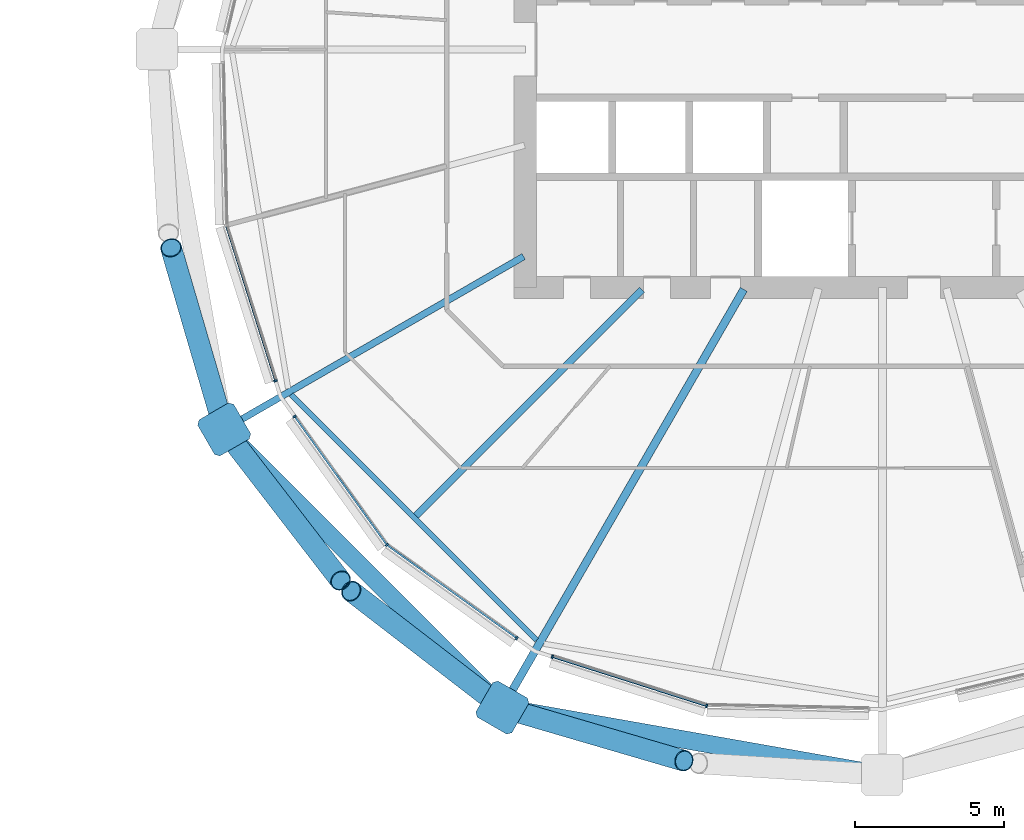
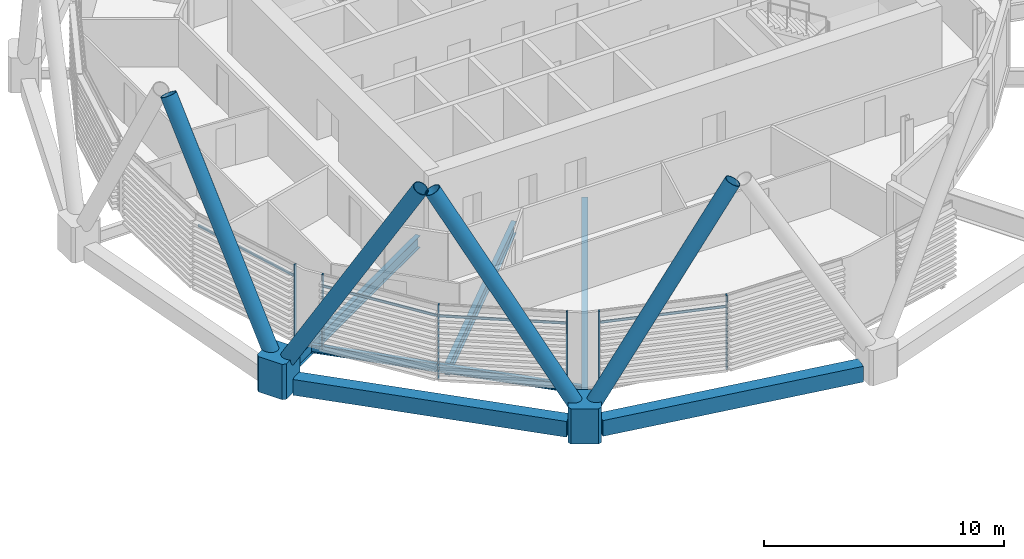
# One storey, part 13 of 38: 16 members, 6 beams, 1 element without a shape of its own.
"""IFC4 building model written with IfcOpenShell, lengths in metres."""

from ifc_helpers import new_model, si_unit, direction, frame, origin, origin_2d, place, context, subcontext, project, spatial, polyline, rectangle, hollow_rectangle, hollow_circle, i_section, outline, extrude, material, material_profile, profile_set, type_object, element, aggregate, save


model = new_model("IFC4")

# Units and contexts
model_context = context("Model", 3, precision=1e-05, world=origin(), true_north=direction((0.0, 1.0)))
body_context = subcontext(model_context, "Body", "Model", "MODEL_VIEW")
ifc_project = project(units=[si_unit("LENGTHUNIT", "METRE"), si_unit("AREAUNIT", "SQUARE_METRE"), si_unit("VOLUMEUNIT", "CUBIC_METRE"), si_unit("PLANEANGLEUNIT", "RADIAN"), si_unit("MASSUNIT", "GRAM", prefix="KILO")], contexts=[model_context])

# Site, building, storey
site_placement = place(None, origin())
site = spatial("IfcSite", under=ifc_project, at=site_placement, CompositionType="ELEMENT")
building_placement = place(site_placement, origin())
building = spatial("IfcBuilding", under=site, at=building_placement, Name="Rimbun Link Towers", CompositionType="ELEMENT")
storey_placement = place(building_placement, frame((0.0, 0.0, 93.0)))
storey = spatial("IfcBuildingStorey", under=building, at=storey_placement, Name="L22", CompositionType="ELEMENT", Elevation=93.0)

# Curtain wall, members
ifc_material_1 = material(Name="Aluminium 6063-T6 and low-iron glass", Category="aluminium")
curtain_wall_type = type_object("IfcCurtainWallType", Name="CW1-Z2 unitised vision wall (zone 2)", PredefinedType="NOTDEFINED", material=ifc_material_1)
curtain_wall_placement = place(storey_placement, origin())
curtain_wall = element("IfcCurtainWall", 1, at=curtain_wall_placement, inside=storey, type_object=curtain_wall_type, Name="CW1 L22 T2", PredefinedType="NOTDEFINED")
ifc_material_2 = material(Name="Aluminium 6063-T6", Category="aluminium")
ifc_material_profile_1 = material_profile(ifc_material_2, rectangle(XDim=0.1201171875, YDim=0.06005859375, at=origin_2d()), Name="MULLION 60X120")
ifc_profile_set_1 = profile_set([ifc_material_profile_1], Name="Aluminium 6063-T6")
member_type_1 = type_object("IfcMemberType", Name="CW1 mullion 60X120", PredefinedType="MULLION", material=ifc_profile_set_1)
member_1_placement = place(storey_placement, frame((11.3505859375, -11.142333984375, 0.0), z_axis=(0.0, 0.0, 1.0), x_axis=(-0.952969504125, -0.30306620433, 0.0)))
member_1 = element("IfcMember", 2, at=member_1_placement, type_object=member_type_1, Name="CW1 mullion", PredefinedType="MULLION", context=body_context, shape_type="SweptSolid", body=[
    extrude(rectangle(XDim=0.1201171875, YDim=0.06005859375, at=origin_2d()), origin(), (0.0, 0.0, 1.0), 3.800048828125),
])
member_2_placement = place(storey_placement, frame((15.094482421875, -16.655517578125, 0.0), z_axis=(0.0, 0.0, 1.0), x_axis=(-0.707106781187, -0.707106781187, 0.0)))
member_2 = element("IfcMember", 3, at=member_2_placement, type_object=member_type_1, Name="CW1 mullion", PredefinedType="MULLION", context=body_context, shape_type="SweptSolid", body=[
    extrude(rectangle(XDim=0.1201171875, YDim=0.06005859375, at=origin_2d()), origin(), (0.0, 0.0, 1.0), 3.800048828125),
])
member_3_placement = place(storey_placement, frame((11.9921875, -12.333251953125, 0.0), z_axis=(0.0, 0.0, 1.0), x_axis=(-0.812471013588, -0.583001588402, 0.0)))
member_3 = element("IfcMember", 4, at=member_3_placement, type_object=member_type_1, Name="CW1 mullion", PredefinedType="MULLION", context=body_context, shape_type="SweptSolid", body=[
    extrude(rectangle(XDim=0.1201171875, YDim=0.06005859375, at=origin_2d()), origin(), (0.0, 0.0, 1.0), 3.800048828125),
])
member_4_placement = place(storey_placement, frame((19.457275390625, -19.787109375, 0.0), z_axis=(0.0, 0.0, 1.0), x_axis=(-0.583001588402, -0.812471013588, 0.0)))
member_4 = element("IfcMember", 5, at=member_4_placement, type_object=member_type_1, Name="CW1 mullion", PredefinedType="MULLION", context=body_context, shape_type="SweptSolid", body=[
    extrude(rectangle(XDim=0.1201171875, YDim=0.06005859375, at=origin_2d()), origin(), (0.0, 0.0, 1.0), 3.800048828125),
])
member_5_placement = place(storey_placement, frame((25.843994140625, -22.06396484375, 0.0), z_axis=(0.0, 0.0, 1.0), x_axis=(-0.16374422533, -0.986502827503, 0.0)))
member_5 = element("IfcMember", 6, at=member_5_placement, type_object=member_type_1, Name="CW1 mullion", PredefinedType="MULLION", context=body_context, shape_type="SweptSolid", body=[
    extrude(rectangle(XDim=0.1201171875, YDim=0.06005859375, at=origin_2d()), origin(), (0.0, 0.0, 1.0), 3.800048828125),
])
member_6_placement = place(storey_placement, frame((20.6552734375, -20.41455078125, 0.0), z_axis=(0.0, 0.0, 1.0), x_axis=(-0.30306620433, -0.952969504125, 0.0)))
member_6 = element("IfcMember", 7, at=member_6_placement, type_object=member_type_1, Name="CW1 mullion", PredefinedType="MULLION", context=body_context, shape_type="SweptSolid", body=[
    extrude(rectangle(XDim=0.1201171875, YDim=0.06005859375, at=origin_2d()), origin(), (0.0, 0.0, 1.0), 3.800048828125),
])
ifc_material_3 = material(Name="Aluminium 6063-T6", Category="aluminium")
ifc_material_profile_2 = material_profile(ifc_material_3, rectangle(XDim=0.06005859375, YDim=0.1201171875, at=origin_2d()), Name="TRANSOM 60X120")
ifc_profile_set_2 = profile_set([ifc_material_profile_2], Name="Aluminium 6063-T6")
member_type_2 = type_object("IfcMemberType", Name="CW1 transom 60X120", PredefinedType="USERDEFINED", material=ifc_profile_set_2)
member_7_placement = place(storey_placement, frame((11.343505859375, -11.113037109375, 3.199951171875), z_axis=(-0.303090364148, 0.952961820411, 0.0), x_axis=(-0.952961820411, -0.303090364148, 0.0)))
member_7 = element("IfcMember", 8, at=member_7_placement, type_object=member_type_2, Name="CW1 transom", ObjectType="TRANSOM", PredefinedType="USERDEFINED", context=body_context, shape_type="SweptSolid", body=[
    extrude(rectangle(XDim=0.06005859375, YDim=0.1201171875, at=origin_2d()), origin(), (0.0, 0.0, 1.0), 5.42578125),
])
member_8_placement = place(storey_placement, frame((15.072265625, -16.62255859375, 3.199951171875), z_axis=(-0.582978612422, 0.812487499878, 0.0), x_axis=(-0.812487499878, -0.582978612422, 0.0)))
member_8 = element("IfcMember", 9, at=member_8_placement, type_object=member_type_2, Name="CW1 transom", ObjectType="TRANSOM", PredefinedType="USERDEFINED", context=body_context, shape_type="SweptSolid", body=[
    extrude(rectangle(XDim=0.06005859375, YDim=0.1201171875, at=origin_2d()), origin(), (0.0, 0.0, 1.0), 5.250732421875),
])
member_9_placement = place(storey_placement, frame((19.43408203125, -19.767822265625, 3.199951171875), z_axis=(-0.812489874561, 0.582975302852, 0.0), x_axis=(-0.582975302852, -0.812489874561, 0.0)))
member_9 = element("IfcMember", 10, at=member_9_placement, type_object=member_type_2, Name="CW1 transom", ObjectType="TRANSOM", PredefinedType="USERDEFINED", context=body_context, shape_type="SweptSolid", body=[
    extrude(rectangle(XDim=0.06005859375, YDim=0.1201171875, at=origin_2d()), origin(), (0.0, 0.0, 1.0), 5.300537109375),
])
member_10_placement = place(storey_placement, frame((25.8076171875, -22.051025390625, 3.199951171875), z_axis=(-0.952961559049, 0.303091185908, 0.0), x_axis=(-0.303091185908, -0.952961559049, 0.0)))
member_10 = element("IfcMember", 11, at=member_10_placement, type_object=member_type_2, Name="CW1 transom", ObjectType="TRANSOM", PredefinedType="USERDEFINED", context=body_context, shape_type="SweptSolid", body=[
    extrude(rectangle(XDim=0.06005859375, YDim=0.1201171875, at=origin_2d()), origin(), (0.0, 0.0, 1.0), 5.3759765625),
])
aggregate(curtain_wall, [member_1, member_2, member_3, member_4, member_5, member_6, member_7, member_8, member_9, member_10])

# Members
ifc_material_4 = material(Name="Steel S460NH", Category="steel")
ifc_material_profile_3 = material_profile(ifc_material_4, hollow_circle(Radius=0.355712890625, WallThickness=0.031982421875, at=origin_2d()), Name="Diagrid diagonal CHS 711x32")
ifc_profile_set_3 = profile_set([ifc_material_profile_3], Name="Steel S460NH")
member_type_3 = type_object("IfcMemberType", Name="Diagrid diagonal CHS 711x32", PredefinedType="BRACE", material=ifc_profile_set_3)
member_11_placement = place(storey_placement, frame((9.5556640625, -12.532470703125, 0.4326171875), z_axis=(-0.14081849139, 0.481649353895, 0.864976330529), x_axis=(-0.959819052969, -0.280619645709, 0.0)))
element("IfcMember", 12, at=member_11_placement, inside=storey, type_object=member_type_3, Name="Diagrid diagonal T2 L22-L25 11a", PredefinedType="BRACE", context=body_context, shape_type="SweptSolid", body=[
    extrude(hollow_circle(Radius=0.355712890625, WallThickness=0.031982421875, at=origin_2d()), origin(), (0.0, 0.0, 1.0), 12.179443359375),
])
for number, where, z_axis, x_axis, name in (
    (13, (9.780029296875, -12.97314453125, 0.431640625), (0.308150171219, -0.399893199413, 0.86320849222), (0.792106765729, 0.610382561748, 0.0), "Diagrid diagonal T2 L22-L25 11b"),
    (14, (18.77685546875, -21.969970703125, 0.431640625), (-0.399893199413, 0.308150171219, 0.86320849222), (-0.610382561748, -0.792106765729, 0.0), "Diagrid diagonal T2 L22-L25 13a"),
):
    element("IfcMember", number, at=place(storey_placement, frame(where, z_axis=z_axis, x_axis=x_axis)), inside=storey, type_object=member_type_3, Name=name, PredefinedType="BRACE", context=body_context, shape_type="SweptSolid", body=[
        extrude(hollow_circle(Radius=0.355712890625, WallThickness=0.031982421875, at=origin_2d()), origin(), (0.0, 0.0, 1.0), 12.20654296875),
    ])
member_12_placement = place(storey_placement, frame((19.217529296875, -22.1943359375, 0.4326171875), z_axis=(0.481649353895, -0.14081849139, 0.864976330529), x_axis=(0.280619645709, 0.959819052969, 0.0)))
element("IfcMember", 15, at=member_12_placement, inside=storey, type_object=member_type_3, Name="Diagrid diagonal T2 L22-L25 13b", PredefinedType="BRACE", context=body_context, shape_type="SweptSolid", body=[
    extrude(hollow_circle(Radius=0.355712890625, WallThickness=0.031982421875, at=origin_2d()), origin(), (0.0, 0.0, 1.0), 12.179443359375),
])
ifc_material_5 = material(Name="Cast steel G20Mn5+QT, Rp0.2 300 MPa", Category="steel")
ifc_material_profile_4 = material_profile(ifc_material_5, outline(polyline([(0.699951171875, -0.570068359375), (0.699951171875, 0.570068359375), (0.570068359375, 0.699951171875), (-0.570068359375, 0.699951171875), (-0.699951171875, 0.570068359375), (-0.699951171875, -0.570068359375), (-0.570068359375, -0.699951171875), (0.570068359375, -0.699951171875), (0.699951171875, -0.570068359375)])), Name="NODE 1400x1400")
ifc_profile_set_4 = profile_set([ifc_material_profile_4], Name="Cast steel G20Mn5+QT, Rp0.2 300 MPa")
member_type_4 = type_object("IfcMemberType", Name="Diagrid node cast 1400", PredefinedType="USERDEFINED", material=ifc_profile_set_4)
for number, where, z_axis, x_axis, name in (
    (16, (9.6259765625, -12.773193359375, -0.89990234375), (0.0, 0.0, 1.0), (-0.866025403784, -0.5, 0.0), "Diagrid node L22 11"),
    (17, (18.976806640625, -22.1240234375, -0.89990234375), (0.0, 0.0, 1.0), (-0.5, -0.866025403784, 0.0), "Diagrid node L22 13"),
):
    element("IfcMember", number, at=place(storey_placement, frame(where, z_axis=z_axis, x_axis=x_axis)), inside=storey, type_object=member_type_4, Name=name, ObjectType="Diagrid node", PredefinedType="USERDEFINED", context=body_context, shape_type="SweptSolid", body=[
        extrude(outline(polyline([(0.699951171875, -0.570068359375), (0.699951171875, 0.570068359375), (0.570068359375, 0.699951171875), (-0.570068359375, 0.699951171875), (-0.699951171875, 0.570068359375), (-0.699951171875, -0.570068359375), (-0.570068359375, -0.699951171875), (0.570068359375, -0.699951171875), (0.699951171875, -0.570068359375)])), origin(), (0.0, 0.0, 1.0), 1.7998046875),
    ])

# Beams
ifc_material_6 = material(Name="Steel S355J2", Category="steel")
ifc_material_profile_5 = material_profile(ifc_material_6, hollow_rectangle(XDim=0.60009765625, YDim=0.800048828125, WallThickness=0.0400390625, at=origin_2d()), Name="Exoskeleton ring girder BOX 600x800x40")
ifc_profile_set_5 = profile_set([ifc_material_profile_5], Name="Steel S355J2")
beam_type_1 = type_object("IfcBeamType", Name="Exoskeleton ring girder BOX 600x800x40", PredefinedType="BEAM", material=ifc_profile_set_5)
beam_1_placement = place(storey_placement, frame((10.12109375, -13.268310546875, -0.56005859375), z_axis=(0.707106781187, -0.707106781187, 0.0), x_axis=(0.707106781187, 0.707106781187, 0.0)))
element("IfcBeam", 18, at=beam_1_placement, inside=storey, type_object=beam_type_1, Name="Exoskeleton ring girder L22 05", PredefinedType="BEAM", context=body_context, shape_type="SweptSolid", body=[
    extrude(hollow_rectangle(XDim=0.60009765625, YDim=0.800048828125, WallThickness=0.0400390625, at=origin_2d()), origin(), (0.0, 0.0, 1.0), 11.82373046875),
])
beam_2_placement = place(storey_placement, frame((19.666015625, -22.24560546875, -0.56005859375), z_axis=(0.984770599089, -0.173858756379, 0.0), x_axis=(0.173858756379, 0.984770599089, 0.0)))
element("IfcBeam", 19, at=beam_2_placement, inside=storey, type_object=beam_type_1, Name="Exoskeleton ring girder L22 06", PredefinedType="BEAM", context=body_context, shape_type="SweptSolid", body=[
    extrude(hollow_rectangle(XDim=0.60009765625, YDim=0.800048828125, WallThickness=0.0400390625, at=origin_2d()), origin(), (0.0, 0.0, 1.0), 11.571044921875),
])
ifc_material_7 = material(Name="Steel S355J2", Category="steel")
ifc_material_profile_6 = material_profile(ifc_material_7, i_section(OverallWidth=0.177978515625, OverallDepth=0.406494140625, WebThickness=0.0078125, FlangeThickness=0.0126953125, at=origin_2d()), Name="UB 406x178x60")
ifc_profile_set_6 = profile_set([ifc_material_profile_6], Name="Steel S355J2")
beam_type_2 = type_object("IfcBeamType", Name="UB 406x178x60", PredefinedType="BEAM", material=ifc_profile_set_6)
beam_3_placement = place(storey_placement, frame((11.880126953125, -11.6044921875, -0.36328125), z_axis=(0.707117242352, -0.707096319866, 0.0), x_axis=(0.707096319866, 0.707117242352, 0.0)))
element("IfcBeam", 20, at=beam_3_placement, inside=storey, type_object=beam_type_2, Name="Edge beam T2 L22 11-13", PredefinedType="BEAM", context=body_context, shape_type="SweptSolid", body=[
    extrude(i_section(OverallWidth=0.177978515625, OverallDepth=0.406494140625, WebThickness=0.0078125, FlangeThickness=0.0126953125, at=origin_2d()), origin(), (0.0, 0.0, 1.0), 11.668701171875),
])
ifc_material_8 = material(Name="Steel S355J2", Category="steel")
ifc_material_profile_7 = material_profile(ifc_material_8, i_section(OverallWidth=0.2275390625, OverallDepth=0.6025390625, WebThickness=0.010498046875, FlangeThickness=0.014892578125, at=origin_2d()), Name="UB 610x229x101")
ifc_profile_set_7 = profile_set([ifc_material_profile_7], Name="Steel S355J2")
beam_type_3 = type_object("IfcBeamType", Name="UB 610x229x101", PredefinedType="BEAM", material=ifc_profile_set_7)
beam_4_placement = place(storey_placement, frame((19.692138671875, -6.961669921875, -0.461181640625), z_axis=(-0.866030246746, -0.49999161165, 0.0), x_axis=(0.49999161165, -0.866030246746, 0.0)))
element("IfcBeam", 21, at=beam_4_placement, inside=storey, type_object=beam_type_3, Name="Radial beam T2 L22 11", PredefinedType="BEAM", context=body_context, shape_type="SweptSolid", body=[
    extrude(i_section(OverallWidth=0.2275390625, OverallDepth=0.6025390625, WebThickness=0.010498046875, FlangeThickness=0.014892578125, at=origin_2d()), origin(), (0.0, 0.0, 1.0), 11.123291015625),
])
beam_5_placement = place(storey_placement, frame((23.668701171875, -8.081298828125, -0.461181640625), z_axis=(-0.707106781187, -0.707106781187, 0.0), x_axis=(0.707106781187, -0.707106781187, 0.0)))
element("IfcBeam", 22, at=beam_5_placement, inside=storey, type_object=beam_type_3, Name="Radial beam T2 L22 12", PredefinedType="BEAM", context=body_context, shape_type="SweptSolid", body=[
    extrude(i_section(OverallWidth=0.2275390625, OverallDepth=0.6025390625, WebThickness=0.010498046875, FlangeThickness=0.014892578125, at=origin_2d()), origin(), (0.0, 0.0, 1.0), 10.737060546875),
])
ifc_material_9 = material(Name="Steel S355J2", Category="steel")
ifc_material_profile_8 = material_profile(ifc_material_9, i_section(OverallWidth=0.2666015625, OverallDepth=0.76220703125, WebThickness=0.014404296875, FlangeThickness=0.021484375, at=origin_2d()), Name="UB 762x267x173")
ifc_profile_set_8 = profile_set([ifc_material_profile_8], Name="Steel S355J2")
beam_type_4 = type_object("IfcBeamType", Name="UB 762x267x173", PredefinedType="BEAM", material=ifc_profile_set_8)
beam_6_placement = place(storey_placement, frame((27.09228515625, -8.0673828125, -0.541015625), z_axis=(-0.499996511319, -0.866027417966, 0.0), x_axis=(0.866027417966, -0.499996511319, 0.0)))
element("IfcBeam", 23, at=beam_6_placement, inside=storey, type_object=beam_type_4, Name="Radial beam T2 L22 13", PredefinedType="BEAM", context=body_context, shape_type="SweptSolid", body=[
    extrude(i_section(OverallWidth=0.2666015625, OverallDepth=0.76220703125, WebThickness=0.014404296875, FlangeThickness=0.021484375, at=origin_2d()), origin(), (0.0, 0.0, 1.0), 15.73095703125),
])

save(model, "model.ifc")
